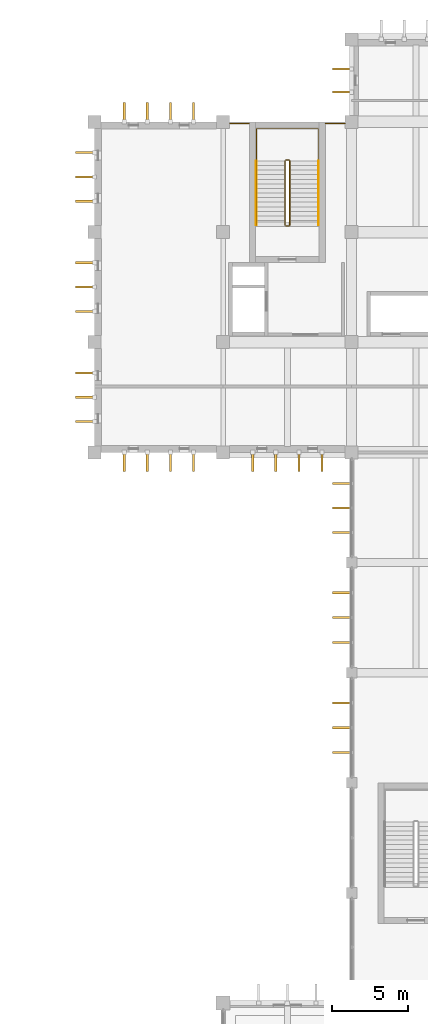
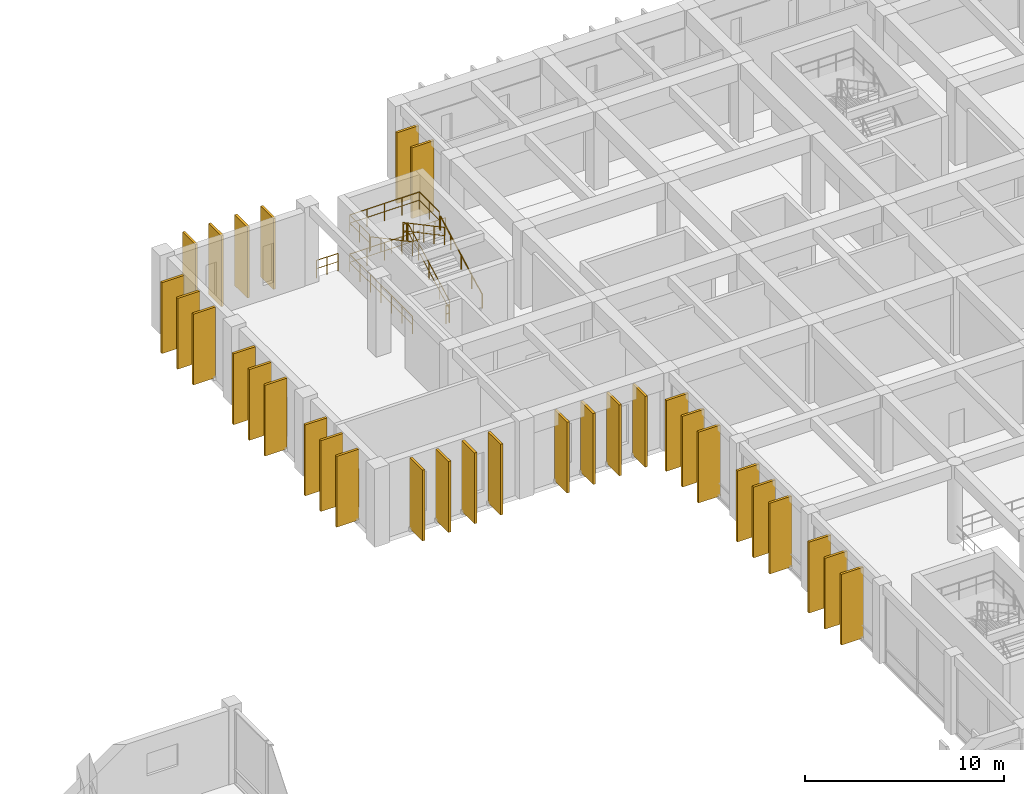
# One storey, part 48 of 51: 32 shading devices, 10 railings.
"""IFC4 building model written with IfcOpenShell, lengths in metres."""

import ifcopenshell
import ifcopenshell.guid

model = None  # the IFC model being written
_history = None  # IfcOwnerHistory: only IFC2X3 demands one
_inside = {}  # id of a spatial element -> (the spatial element, [elements in it])
_under = {}  # id of a project, library or spatial element -> (it, [spatial elements below it])
_declared = {}  # id of a project -> (the project, [libraries it declares])
_typed = {}  # id of a type object -> (the type object, [elements of that type])
_made_of = {}  # id of a material, layer set ... -> (it, [elements and type objects made of it])


def new_model(schema):
    """Start an empty IFC model of exactly this schema.

    Asked for "IFC4X3", IfcOpenShell would pick the latest addendum, in which some entities
    have other attributes; the version numbers below select the first issue.
    IFC2X3 requires an IfcOwnerHistory on every rooted entity: one is made here for all.
    """
    global model, _history
    if schema == "IFC4X3":
        model = ifcopenshell.file(schema_version=(4, 3, 0, 0))
    else:
        model = ifcopenshell.file(schema=schema)
    _inside.clear()
    _under.clear()
    _declared.clear()
    _typed.clear()
    _made_of.clear()
    _history = None
    if model.schema == "IFC2X3":
        org = make("IfcOrganization", Name="unknown")
        user = make(
            "IfcPersonAndOrganization",
            ThePerson=make("IfcPerson", FamilyName="unknown"),
            TheOrganization=org,
        )
        app = make(
            "IfcApplication",
            ApplicationDeveloper=org,
            Version="unknown",
            ApplicationFullName="unknown",
            ApplicationIdentifier="unknown",
        )
        _history = make(
            "IfcOwnerHistory",
            OwningUser=user,
            OwningApplication=app,
            ChangeAction="ADDED",
            CreationDate=0,
        )
    return model


def make(cls, **values):
    """One entity of the class cls with the attributes given. An attribute that is None is left unset."""
    return model.create_entity(
        cls, **{name: value for name, value in values.items() if value is not None}
    )


def rooted(cls, **values):
    """An entity with a GlobalId (a new one), such as an element, a storey or a relation."""
    return make(cls, GlobalId=ifcopenshell.guid.new(), OwnerHistory=_history, **values)


def si_unit(unit_type, name, prefix=None):
    """IfcSIUnit, for example si_unit("LENGTHUNIT", "METRE", prefix="MILLI")."""
    return make("IfcSIUnit", UnitType=unit_type, Prefix=prefix, Name=name)


def assignment(units):
    """IfcUnitAssignment: the units of a project."""
    return None if units is None else make("IfcUnitAssignment", Units=units)


def point(xyz):
    """IfcCartesianPoint."""
    return None if xyz is None else make("IfcCartesianPoint", Coordinates=xyz)


def direction(xyz):
    """IfcDirection."""
    return None if xyz is None else make("IfcDirection", DirectionRatios=xyz)


def frame(location, z_axis=None, x_axis=None):
    """IfcAxis2Placement3D, a coordinate frame: its origin and axes. An axis left out is left unset."""
    return make(
        "IfcAxis2Placement3D",
        Location=point(location),
        Axis=direction(z_axis),
        RefDirection=direction(x_axis),
    )


def frame_2d(location, x_axis=None):
    """IfcAxis2Placement2D, a coordinate frame in the plane: its origin and x axis."""
    return make(
        "IfcAxis2Placement2D", Location=point(location), RefDirection=direction(x_axis)
    )


def origin():
    """The frame at (0, 0, 0) with its axes left unset."""
    return frame((0.0, 0.0, 0.0))


def origin_2d():
    """The frame at (0, 0) in the plane with its x axis left unset."""
    return frame_2d((0.0, 0.0))


def place(relative_to, where):
    """IfcLocalPlacement: puts the frame where relative to a parent placement (None: the world)."""
    return make(
        "IfcLocalPlacement", PlacementRelTo=relative_to, RelativePlacement=where
    )


def context(
    kind, dimensions, precision=None, world=None, true_north=None, identifier=None
):
    """IfcGeometricRepresentationContext, for example the 3D "Model" context."""
    return make(
        "IfcGeometricRepresentationContext",
        ContextIdentifier=identifier,
        ContextType=kind,
        CoordinateSpaceDimension=dimensions,
        Precision=precision,
        WorldCoordinateSystem=world,
        TrueNorth=true_north,
    )


def subcontext(parent, identifier, kind, view, scale=None):
    """IfcGeometricRepresentationSubContext, for example "Body" below "Model"."""
    return make(
        "IfcGeometricRepresentationSubContext",
        ContextIdentifier=identifier,
        ContextType=kind,
        ParentContext=parent,
        TargetScale=scale,
        TargetView=view,
    )


def project(units=None, contexts=None):
    """IfcProject with its units and contexts."""
    return rooted(
        "IfcProject",
        Name="project",
        RepresentationContexts=contexts,
        UnitsInContext=assignment(units),
    )


def spatial(cls, under=None, at=None, **own):
    """A site, building, storey or space (cls), placed at a placement, below another one or the project."""
    s = rooted(cls, ObjectPlacement=at, **own)
    if under is not None:
        _under.setdefault(under.id(), (under, []))[1].append(s)
    return s


def profile(cls, at=None, kind="AREA", **sizes):
    """A parametric profile (cls). Its sizes go by their IFC names, for example OverallWidth=200.0."""
    return make(cls, ProfileType=kind, Position=at, **sizes)


def rectangle(**sizes):
    """IfcRectangleProfileDef."""
    return profile("IfcRectangleProfileDef", **sizes)


def circle(**sizes):
    """IfcCircleProfileDef."""
    return profile("IfcCircleProfileDef", **sizes)


def extrude(swept, where, along, depth):
    """IfcExtrudedAreaSolid: the profile swept, set in the frame where, extruded along a direction by depth."""
    return make(
        "IfcExtrudedAreaSolid",
        SweptArea=swept,
        Position=where,
        ExtrudedDirection=direction(along),
        Depth=depth,
    )


def shape(context_of_items, identifier, shape_type, items):
    """IfcShapeRepresentation: the items that make up one representation, for example the "Body"."""
    return make(
        "IfcShapeRepresentation",
        ContextOfItems=context_of_items,
        RepresentationIdentifier=identifier,
        RepresentationType=shape_type,
        Items=items,
    )


def material(Name=None, Category=None):
    """IfcMaterial."""
    return make("IfcMaterial", Name=Name, Category=Category)


def made_of(thing, what):
    """Note that an element or type object is made of a material, layer set ...; save() writes the relation."""
    if what is not None:
        _made_of.setdefault(what.id(), (what, []))[1].append(thing)
    return thing


def type_object(cls, material=None, **own):
    """A type object (cls), such as IfcWallType, which elements share."""
    return made_of(rooted(cls, **own), material)


def element(
    cls,
    number,
    at=None,
    inside=None,
    cuts=None,
    type_object=None,
    material=None,
    context=None,
    identifier="Body",
    shape_type=None,
    held_by="IfcProductDefinitionShape",
    body=None,
    shapes=None,
    **own,
):
    """One element of the class cls, such as IfcWall. Its Tag is "e" and its number.

    at: its placement. inside: the storey or other place that contains it. cuts: it is an
    opening in that element (IfcRelVoidsElement). A single representation is given by context,
    identifier, shape_type and body (its items); several are given by shapes. held_by: the class
    of the entity that holds the representations. save() writes the other relations.
    """
    e = rooted(cls, Tag="e%d" % number, ObjectPlacement=at, **own)
    if body is not None:
        shapes = [shape(context, identifier, shape_type, body)]
    if shapes is not None:
        e.Representation = make(held_by, Representations=shapes)
    if inside is not None:
        _inside.setdefault(inside.id(), (inside, []))[1].append(e)
    if cuts is not None:
        rooted(
            "IfcRelVoidsElement", RelatingBuildingElement=cuts, RelatedOpeningElement=e
        )
    if type_object is not None:
        _typed.setdefault(type_object.id(), (type_object, []))[1].append(e)
    return made_of(e, material)


def aggregate(whole, parts):
    """IfcRelAggregates: a whole, such as a stair, and the parts it consists of."""
    return rooted("IfcRelAggregates", RelatingObject=whole, RelatedObjects=parts)


def save(model, path):
    """Write the relations noted so far, then the file.

    IfcRelAggregates (storeys below a building ...), IfcRelContainedInSpatialStructure (elements
    in a storey), IfcRelDefinesByType, IfcRelAssociatesMaterial and IfcRelDeclares: one each for
    every whole, place, type object, material and project.
    """
    for whole, parts in _under.values():
        aggregate(whole, parts)
    for where, things in _inside.values():
        rooted(
            "IfcRelContainedInSpatialStructure",
            RelatedElements=things,
            RelatingStructure=where,
        )
    for kind, things in _typed.values():
        rooted("IfcRelDefinesByType", RelatedObjects=things, RelatingType=kind)
    for what, things in _made_of.values():
        rooted("IfcRelAssociatesMaterial", RelatedObjects=things, RelatingMaterial=what)
    for by, libraries in _declared.values():
        rooted("IfcRelDeclares", RelatingContext=by, RelatedDefinitions=libraries)
    model.write(path)


model = new_model("IFC4")

# Units and contexts
model_context = context("Model", 3, precision=1e-05, world=origin(), true_north=direction((0.0, 1.0)))
body_context = subcontext(model_context, "Body", "Model", "MODEL_VIEW")
ifc_project = project(units=[si_unit("LENGTHUNIT", "METRE"), si_unit("AREAUNIT", "SQUARE_METRE"), si_unit("VOLUMEUNIT", "CUBIC_METRE"), si_unit("PLANEANGLEUNIT", "RADIAN"), si_unit("MASSUNIT", "GRAM", prefix="KILO")], contexts=[model_context])

# Site, building, storey
site_placement = place(None, origin())
site = spatial("IfcSite", under=ifc_project, at=site_placement, CompositionType="ELEMENT")
building_placement = place(site_placement, origin())
building = spatial("IfcBuilding", under=site, at=building_placement, Name="Kenerak Square Central Library", CompositionType="ELEMENT")
storey_placement = place(building_placement, frame((0.0, 0.0, 9.60009765625)))
storey = spatial("IfcBuildingStorey", under=building, at=storey_placement, Name="L02", CompositionType="ELEMENT", Elevation=9.60009765625)

# Shading devices
ifc_material_1 = material(Name="White precast concrete C40/50", Category="concrete")
shading_device_type = type_object("IfcShadingDeviceType", Name="Precast Vertical Solar Fin SF-1280 C40/50", PredefinedType="USERDEFINED", material=ifc_material_1)
for number, where, z_axis, x_axis, name in (
    (1, (66.179931640625, 69.175048828125, 0.099853515625), (0.0, 0.0, 1.0), (0.0, 1.0, 0.0), "Precast Solar Fin FIN-01 L02 0080"),
    (2, (66.179931640625, 70.800048828125, 0.099853515625), (0.0, 0.0, 1.0), (0.0, 1.0, 0.0), "Precast Solar Fin FIN-01 L02 0081"),
    (3, (66.179931640625, 72.425048828125, 0.099853515625), (0.0, 0.0, 1.0), (0.0, 1.0, 0.0), "Precast Solar Fin FIN-01 L02 0082"),
    (4, (66.179931640625, 76.375, 0.099853515625), (0.0, 0.0, 1.0), (0.0, 1.0, 0.0), "Precast Solar Fin FIN-01 L02 0083"),
    (5, (66.179931640625, 78.0, 0.099853515625), (0.0, 0.0, 1.0), (0.0, 1.0, 0.0), "Precast Solar Fin FIN-01 L02 0084"),
    (6, (66.179931640625, 79.625, 0.099853515625), (0.0, 0.0, 1.0), (0.0, 1.0, 0.0), "Precast Solar Fin FIN-01 L02 0085"),
    (7, (66.179931640625, 83.556396484375, 0.099853515625), (0.0, 0.0, 1.0), (0.0, 1.0, 0.0), "Precast Solar Fin FIN-01 L02 0086"),
    (8, (66.179931640625, 85.16259765625, 0.099853515625), (0.0, 0.0, 1.0), (0.0, 1.0, 0.0), "Precast Solar Fin FIN-01 L02 0087"),
    (9, (66.179931640625, 86.768798828125, 0.099853515625), (0.0, 0.0, 1.0), (0.0, 1.0, 0.0), "Precast Solar Fin FIN-01 L02 0088"),
    (10, (64.864990234375, 88.179931640625, 0.099853515625), (0.0, 0.0, 1.0), (-1.0, 0.0, 0.0), "Precast Solar Fin FIN-01 L02 0089"),
    (11, (63.35498046875, 88.179931640625, 0.099853515625), (0.0, 0.0, 1.0), (-1.0, 0.0, 0.0), "Precast Solar Fin FIN-01 L02 0090"),
    (12, (61.844970703125, 88.179931640625, 0.099853515625), (0.0, 0.0, 1.0), (-1.0, 0.0, 0.0), "Precast Solar Fin FIN-01 L02 0091"),
    (13, (60.3349609375, 88.179931640625, 0.099853515625), (0.0, 0.0, 1.0), (-1.0, 0.0, 0.0), "Precast Solar Fin FIN-01 L02 0092"),
    (14, (56.465087890625, 88.179931640625, 0.099853515625), (0.0, 0.0, 1.0), (-1.0, 0.0, 0.0), "Precast Solar Fin FIN-01 L02 0093"),
    (15, (54.955078125, 88.179931640625, 0.099853515625), (0.0, 0.0, 1.0), (-1.0, 0.0, 0.0), "Precast Solar Fin FIN-01 L02 0094"),
    (16, (53.445068359375, 88.179931640625, 0.099853515625), (0.0, 0.0, 1.0), (-1.0, 0.0, 0.0), "Precast Solar Fin FIN-01 L02 0095"),
    (17, (51.93505859375, 88.179931640625, 0.099853515625), (0.0, 0.0, 1.0), (-1.0, 0.0, 0.0), "Precast Solar Fin FIN-01 L02 0096"),
    (18, (49.3798828125, 90.8125, 0.099853515625), (0.0, 0.0, 1.0), (0.0, 1.0, 0.0), "Precast Solar Fin FIN-01 L02 0097"),
    (19, (49.3798828125, 92.39990234375, 0.099853515625), (0.0, 0.0, 1.0), (0.0, 1.0, 0.0), "Precast Solar Fin FIN-01 L02 0098"),
    (20, (49.3798828125, 93.987548828125, 0.099853515625), (0.0, 0.0, 1.0), (0.0, 1.0, 0.0), "Precast Solar Fin FIN-01 L02 0099"),
    (21, (49.3798828125, 98.012451171875, 0.099853515625), (0.0, 0.0, 1.0), (0.0, 1.0, 0.0), "Precast Solar Fin FIN-01 L02 0100"),
    (22, (49.3798828125, 99.60009765625, 0.099853515625), (0.0, 0.0, 1.0), (0.0, 1.0, 0.0), "Precast Solar Fin FIN-01 L02 0101"),
    (23, (49.3798828125, 101.1875, 0.099853515625), (0.0, 0.0, 1.0), (0.0, 1.0, 0.0), "Precast Solar Fin FIN-01 L02 0102"),
    (24, (49.3798828125, 105.21240234375, 0.099853515625), (0.0, 0.0, 1.0), (0.0, 1.0, 0.0), "Precast Solar Fin FIN-01 L02 0103"),
    (25, (49.3798828125, 106.800048828125, 0.099853515625), (0.0, 0.0, 1.0), (0.0, 1.0, 0.0), "Precast Solar Fin FIN-01 L02 0104"),
    (26, (49.3798828125, 108.387451171875, 0.099853515625), (0.0, 0.0, 1.0), (0.0, 1.0, 0.0), "Precast Solar Fin FIN-01 L02 0105"),
    (27, (51.93505859375, 111.02001953125, 0.099853515625), (0.0, 0.0, 1.0), (1.0, 0.0, 0.0), "Precast Solar Fin FIN-01 L02 0106"),
    (28, (53.445068359375, 111.02001953125, 0.099853515625), (0.0, 0.0, 1.0), (1.0, 0.0, 0.0), "Precast Solar Fin FIN-01 L02 0107"),
    (29, (54.955078125, 111.02001953125, 0.099853515625), (0.0, 0.0, 1.0), (1.0, 0.0, 0.0), "Precast Solar Fin FIN-01 L02 0108"),
    (30, (56.465087890625, 111.02001953125, 0.099853515625), (0.0, 0.0, 1.0), (1.0, 0.0, 0.0), "Precast Solar Fin FIN-01 L02 0109"),
    (31, (66.179931640625, 112.341796875, 0.099853515625), (0.0, 0.0, 1.0), (0.0, 1.0, 0.0), "Precast Solar Fin FIN-01 L02 0110"),
    (32, (66.179931640625, 113.8583984375, 0.099853515625), (0.0, 0.0, 1.0), (0.0, 1.0, 0.0), "Precast Solar Fin FIN-01 L02 0111"),
):
    element("IfcShadingDevice", number, at=place(storey_placement, frame(where, z_axis=z_axis, x_axis=x_axis)), inside=storey, type_object=shading_device_type, Name=name, ObjectType="FIN", PredefinedType="USERDEFINED", context=body_context, shape_type="SweptSolid", body=[
        extrude(rectangle(XDim=0.139892578125, YDim=1.280029296875, at=origin_2d()), origin(), (0.0, 0.0, 1.0), 4.35009765625),
    ])

# Railings
ifc_material_2 = material(Name="Steel S355", Category="steel")
railing_type_1 = type_object("IfcRailingType", Name="Safety Guardrail GR-1100 S355", PredefinedType="GUARDRAIL", material=ifc_material_2)
railing_1_placement = place(storey_placement, frame((62.75, 103.64990234375, 0.159912109375)))
element("IfcRailing", 33, at=railing_1_placement, inside=storey, type_object=railing_type_1, Name="L02 ST-01 stair guard 1", PredefinedType="GUARDRAIL", context=body_context, shape_type="SweptSolid", body=[
    extrude(circle(Radius=0.02392578125, at=origin_2d()), frame((0.0, 0.0, 1.076171875), z_axis=(0.0, 0.882362879185, 0.470569601054), x_axis=(-1.0, 0.0, 0.0)), (0.0, 0.0, 1.0), 4.76025390625),
    extrude(circle(Radius=0.01806640625, at=origin_2d()), frame((0.0, 0.0, 0.572021484375), z_axis=(0.0, 0.882362879185, 0.470569601054), x_axis=(-1.0, 0.0, 0.0)), (0.0, 0.0, 1.0), 4.76025390625),
    extrude(circle(Radius=0.02099609375, at=origin_2d()), origin(), (0.0, 0.0, 1.0), 1.052001953125),
    extrude(circle(Radius=0.02099609375, at=origin_2d()), frame((0.0, 1.050048828125, 0.56005859375)), (0.0, 0.0, 1.0), 1.052001953125),
    extrude(circle(Radius=0.02099609375, at=origin_2d()), frame((0.0, 2.10009765625, 1.1201171875)), (0.0, 0.0, 1.0), 1.052001953125),
    extrude(circle(Radius=0.02099609375, at=origin_2d()), frame((0.0, 3.150146484375, 1.679931640625)), (0.0, 0.0, 1.0), 1.052001953125),
    extrude(circle(Radius=0.02099609375, at=origin_2d()), frame((0.0, 4.2001953125, 2.239990234375)), (0.0, 0.0, 1.0), 1.052001953125),
])
railing_2_placement = place(storey_placement, frame((62.699951171875, 107.89990234375, 2.39990234375)))
element("IfcRailing", 34, at=railing_2_placement, inside=storey, type_object=railing_type_1, Name="L02 ST-01 stair guard 2", PredefinedType="GUARDRAIL", context=body_context, shape_type="SweptSolid", body=[
    extrude(circle(Radius=0.02392578125, at=origin_2d()), frame((0.0, 0.0, 1.076171875), z_axis=(-1.0, 0.0, 0.0), x_axis=(0.0, -1.0, 0.0)), (0.0, 0.0, 1.0), 0.199951171875),
    extrude(circle(Radius=0.01806640625, at=origin_2d()), frame((0.0, 0.0, 0.572021484375), z_axis=(-1.0, 0.0, 0.0), x_axis=(0.0, -1.0, 0.0)), (0.0, 0.0, 1.0), 0.199951171875),
    extrude(circle(Radius=0.02099609375, at=origin_2d()), origin(), (0.0, 0.0, 1.0), 1.052001953125),
    extrude(circle(Radius=0.02099609375, at=origin_2d()), frame((-0.199951171875, 0.0, 0.0)), (0.0, 0.0, 1.0), 1.052001953125),
])
railing_3_placement = place(storey_placement, frame((62.449951171875, 107.85009765625, 2.559814453125)))
element("IfcRailing", 35, at=railing_3_placement, inside=storey, type_object=railing_type_1, Name="L02 ST-01 stair guard 3", PredefinedType="GUARDRAIL", context=body_context, shape_type="SweptSolid", body=[
    extrude(circle(Radius=0.02392578125, at=origin_2d()), frame((0.0, 0.0, 1.076171875), z_axis=(0.0, -0.882362879185, 0.470569601054), x_axis=(1.0, 0.0, 0.0)), (0.0, 0.0, 1.0), 4.76025390625),
    extrude(circle(Radius=0.01806640625, at=origin_2d()), frame((0.0, 0.0, 0.572021484375), z_axis=(0.0, -0.882362879185, 0.470569601054), x_axis=(1.0, 0.0, 0.0)), (0.0, 0.0, 1.0), 4.76025390625),
    extrude(circle(Radius=0.02099609375, at=origin_2d()), origin(), (0.0, 0.0, 1.0), 1.052001953125),
    extrude(circle(Radius=0.02099609375, at=origin_2d()), frame((0.0, -1.050048828125, 0.56005859375)), (0.0, 0.0, 1.0), 1.052001953125),
    extrude(circle(Radius=0.02099609375, at=origin_2d()), frame((0.0, -2.10009765625, 1.1201171875)), (0.0, 0.0, 1.0), 1.052001953125),
    extrude(circle(Radius=0.02099609375, at=origin_2d()), frame((0.0, -3.150146484375, 1.679931640625)), (0.0, 0.0, 1.0), 1.052001953125),
    extrude(circle(Radius=0.02099609375, at=origin_2d()), frame((0.0, -4.2001953125, 2.239990234375)), (0.0, 0.0, 1.0), 1.052001953125),
])
railing_4_placement = place(storey_placement, frame((62.699951171875, 103.60009765625, 0.0)))
element("IfcRailing", 36, at=railing_4_placement, inside=storey, type_object=railing_type_1, Name="L02 ST-01 stair guard 4", PredefinedType="GUARDRAIL", context=body_context, shape_type="SweptSolid", body=[
    extrude(circle(Radius=0.02392578125, at=origin_2d()), frame((0.0, 0.0, 1.076171875), z_axis=(-1.0, 0.0, 0.0), x_axis=(0.0, -1.0, 0.0)), (0.0, 0.0, 1.0), 0.199951171875),
    extrude(circle(Radius=0.01806640625, at=origin_2d()), frame((0.0, 0.0, 0.572021484375), z_axis=(-1.0, 0.0, 0.0), x_axis=(0.0, -1.0, 0.0)), (0.0, 0.0, 1.0), 0.199951171875),
    extrude(circle(Radius=0.02099609375, at=origin_2d()), origin(), (0.0, 0.0, 1.0), 1.052001953125),
    extrude(circle(Radius=0.02099609375, at=origin_2d()), frame((-0.199951171875, 0.0, 0.0)), (0.0, 0.0, 1.0), 1.052001953125),
])
railing_5_placement = place(storey_placement, frame((60.580078125, 107.949951171875, 2.39990234375)))
element("IfcRailing", 37, at=railing_5_placement, inside=storey, type_object=railing_type_1, Name="Stair Half-Landing Guard ST-01 L02", PredefinedType="GUARDRAIL", context=body_context, shape_type="SweptSolid", body=[
    extrude(circle(Radius=0.02392578125, at=origin_2d()), frame((0.0, 0.0, 1.076171875), z_axis=(0.0, 1.0, 0.0), x_axis=(-1.0, 0.0, 0.0)), (0.0, 0.0, 1.0), 2.0),
    extrude(circle(Radius=0.01806640625, at=origin_2d()), frame((0.0, 0.0, 0.572021484375), z_axis=(0.0, 1.0, 0.0), x_axis=(-1.0, 0.0, 0.0)), (0.0, 0.0, 1.0), 2.0),
    extrude(circle(Radius=0.02392578125, at=origin_2d()), frame((0.0, 2.0, 1.076171875), z_axis=(1.0, 0.0, 0.0), x_axis=(0.0, 1.0, 0.0)), (0.0, 0.0, 1.0), 4.0400390625),
    extrude(circle(Radius=0.01806640625, at=origin_2d()), frame((0.0, 2.0, 0.572021484375), z_axis=(1.0, 0.0, 0.0), x_axis=(0.0, 1.0, 0.0)), (0.0, 0.0, 1.0), 4.0400390625),
    extrude(circle(Radius=0.02392578125, at=origin_2d()), frame((4.0400390625, 2.0, 1.076171875), z_axis=(0.0, -1.0, 0.0), x_axis=(1.0, 0.0, 0.0)), (0.0, 0.0, 1.0), 2.0),
    extrude(circle(Radius=0.01806640625, at=origin_2d()), frame((4.0400390625, 2.0, 0.572021484375), z_axis=(0.0, -1.0, 0.0), x_axis=(1.0, 0.0, 0.0)), (0.0, 0.0, 1.0), 2.0),
    extrude(circle(Radius=0.02099609375, at=origin_2d()), origin(), (0.0, 0.0, 1.0), 1.052001953125),
    extrude(circle(Radius=0.02099609375, at=origin_2d()), frame((0.0, 1.0, 0.0)), (0.0, 0.0, 1.0), 1.052001953125),
    extrude(circle(Radius=0.02099609375, at=origin_2d()), frame((0.0, 2.0, 0.0)), (0.0, 0.0, 1.0), 1.052001953125),
    extrude(circle(Radius=0.02099609375, at=origin_2d()), frame((1.010009765625, 2.0, 0.0)), (0.0, 0.0, 1.0), 1.052001953125),
    extrude(circle(Radius=0.02099609375, at=origin_2d()), frame((2.02001953125, 2.0, 0.0)), (0.0, 0.0, 1.0), 1.052001953125),
    extrude(circle(Radius=0.02099609375, at=origin_2d()), frame((3.030029296875, 2.0, 0.0)), (0.0, 0.0, 1.0), 1.052001953125),
    extrude(circle(Radius=0.02099609375, at=origin_2d()), frame((4.0400390625, 2.0, 0.0)), (0.0, 0.0, 1.0), 1.052001953125),
    extrude(circle(Radius=0.02099609375, at=origin_2d()), frame((4.0400390625, 1.0, 0.0)), (0.0, 0.0, 1.0), 1.052001953125),
    extrude(circle(Radius=0.02099609375, at=origin_2d()), frame((4.0400390625, 0.0, 0.0)), (0.0, 0.0, 1.0), 1.052001953125),
])
railing_6_placement = place(storey_placement, frame((60.580078125, 103.64990234375, 0.0)))
element("IfcRailing", 38, at=railing_6_placement, inside=storey, type_object=railing_type_1, Name="Stair Well Floor Guard ST-01 L02", PredefinedType="GUARDRAIL", context=body_context, shape_type="SweptSolid", body=[
    extrude(circle(Radius=0.02392578125, at=origin_2d()), frame((0.0, 0.0, 1.076171875), z_axis=(0.0, 1.0, 0.0), x_axis=(-1.0, 0.0, 0.0)), (0.0, 0.0, 1.0), 6.300048828125),
    extrude(circle(Radius=0.01806640625, at=origin_2d()), frame((0.0, 0.0, 0.572021484375), z_axis=(0.0, 1.0, 0.0), x_axis=(-1.0, 0.0, 0.0)), (0.0, 0.0, 1.0), 6.300048828125),
    extrude(circle(Radius=0.02392578125, at=origin_2d()), frame((0.0, 6.300048828125, 1.076171875), z_axis=(1.0, 0.0, 0.0), x_axis=(0.0, 1.0, 0.0)), (0.0, 0.0, 1.0), 4.0400390625),
    extrude(circle(Radius=0.01806640625, at=origin_2d()), frame((0.0, 6.300048828125, 0.572021484375), z_axis=(1.0, 0.0, 0.0), x_axis=(0.0, 1.0, 0.0)), (0.0, 0.0, 1.0), 4.0400390625),
    extrude(circle(Radius=0.02099609375, at=origin_2d()), origin(), (0.0, 0.0, 1.0), 1.052001953125),
    extrude(circle(Radius=0.02099609375, at=origin_2d()), frame((0.0, 1.050048828125, 0.0)), (0.0, 0.0, 1.0), 1.052001953125),
    extrude(circle(Radius=0.02099609375, at=origin_2d()), frame((0.0, 2.10009765625, 0.0)), (0.0, 0.0, 1.0), 1.052001953125),
    extrude(circle(Radius=0.02099609375, at=origin_2d()), frame((0.0, 3.14990234375, 0.0)), (0.0, 0.0, 1.0), 1.052001953125),
    extrude(circle(Radius=0.02099609375, at=origin_2d()), frame((0.0, 4.199951171875, 0.0)), (0.0, 0.0, 1.0), 1.052001953125),
    extrude(circle(Radius=0.02099609375, at=origin_2d()), frame((0.0, 5.25, 0.0)), (0.0, 0.0, 1.0), 1.052001953125),
    extrude(circle(Radius=0.02099609375, at=origin_2d()), frame((0.0, 6.300048828125, 0.0)), (0.0, 0.0, 1.0), 1.052001953125),
    extrude(circle(Radius=0.02099609375, at=origin_2d()), frame((1.010009765625, 6.300048828125, 0.0)), (0.0, 0.0, 1.0), 1.052001953125),
    extrude(circle(Radius=0.02099609375, at=origin_2d()), frame((2.02001953125, 6.300048828125, 0.0)), (0.0, 0.0, 1.0), 1.052001953125),
    extrude(circle(Radius=0.02099609375, at=origin_2d()), frame((3.030029296875, 6.300048828125, 0.0)), (0.0, 0.0, 1.0), 1.052001953125),
    extrude(circle(Radius=0.02099609375, at=origin_2d()), frame((4.0400390625, 6.300048828125, 0.0)), (0.0, 0.0, 1.0), 1.052001953125),
])
for number, where, name in (
    (39, (58.846923828125, 110.300048828125, 0.0), "Perimeter Edge Guardrail L02 59-1"),
    (40, (65.10205078125, 110.300048828125, 0.0), "Perimeter Edge Guardrail L02 65-2"),
):
    element("IfcRailing", number, at=place(storey_placement, frame(where)), inside=storey, type_object=railing_type_1, Name=name, PredefinedType="GUARDRAIL", context=body_context, shape_type="SweptSolid", body=[
        extrude(circle(Radius=0.02392578125, at=origin_2d()), frame((0.0, 0.0, 1.076171875), z_axis=(1.0, 0.0, 0.0), x_axis=(0.0, 1.0, 0.0)), (0.0, 0.0, 1.0), 1.2509765625),
        extrude(circle(Radius=0.01806640625, at=origin_2d()), frame((0.0, 0.0, 0.572021484375), z_axis=(1.0, 0.0, 0.0), x_axis=(0.0, 1.0, 0.0)), (0.0, 0.0, 1.0), 1.2509765625),
        extrude(circle(Radius=0.02099609375, at=origin_2d()), origin(), (0.0, 0.0, 1.0), 1.052001953125),
        extrude(circle(Radius=0.02099609375, at=origin_2d()), frame((0.62548828125, 0.0, 0.0)), (0.0, 0.0, 1.0), 1.052001953125),
        extrude(circle(Radius=0.02099609375, at=origin_2d()), frame((1.2509765625, 0.0, 0.0)), (0.0, 0.0, 1.0), 1.052001953125),
    ])
railing_type_2 = type_object("IfcRailingType", Name="Stair Handrail HR-880 S355", PredefinedType="HANDRAIL", material=ifc_material_2)
railing_7_placement = place(storey_placement, frame((64.6298828125, 103.64990234375, 0.159912109375)))
element("IfcRailing", 41, at=railing_7_placement, inside=storey, type_object=railing_type_2, Name="L02 ST-01 stair handrail 1", PredefinedType="HANDRAIL", context=body_context, shape_type="SweptSolid", body=[
    extrude(circle(Radius=0.02392578125, at=origin_2d()), frame((0.0, 0.0, 0.85595703125), z_axis=(0.0, 0.882362879185, 0.470569601054), x_axis=(-1.0, 0.0, 0.0)), (0.0, 0.0, 1.0), 4.76025390625),
    extrude(circle(Radius=0.02099609375, at=origin_2d()), origin(), (0.0, 0.0, 1.0), 0.831787109375),
    extrude(circle(Radius=0.02099609375, at=origin_2d()), frame((0.0, 1.050048828125, 0.56005859375)), (0.0, 0.0, 1.0), 0.831787109375),
    extrude(circle(Radius=0.02099609375, at=origin_2d()), frame((0.0, 2.10009765625, 1.1201171875)), (0.0, 0.0, 1.0), 0.831787109375),
    extrude(circle(Radius=0.02099609375, at=origin_2d()), frame((0.0, 3.150146484375, 1.679931640625)), (0.0, 0.0, 1.0), 0.831787109375),
    extrude(circle(Radius=0.02099609375, at=origin_2d()), frame((0.0, 4.2001953125, 2.239990234375)), (0.0, 0.0, 1.0), 0.831787109375),
])
railing_8_placement = place(storey_placement, frame((60.570068359375, 107.85009765625, 2.559814453125)))
element("IfcRailing", 42, at=railing_8_placement, inside=storey, type_object=railing_type_2, Name="L02 ST-01 stair handrail 2", PredefinedType="HANDRAIL", context=body_context, shape_type="SweptSolid", body=[
    extrude(circle(Radius=0.02392578125, at=origin_2d()), frame((0.0, 0.0, 0.85595703125), z_axis=(0.0, -0.882362879185, 0.470569601054), x_axis=(1.0, 0.0, 0.0)), (0.0, 0.0, 1.0), 4.76025390625),
    extrude(circle(Radius=0.02099609375, at=origin_2d()), origin(), (0.0, 0.0, 1.0), 0.831787109375),
    extrude(circle(Radius=0.02099609375, at=origin_2d()), frame((0.0, -1.050048828125, 0.56005859375)), (0.0, 0.0, 1.0), 0.831787109375),
    extrude(circle(Radius=0.02099609375, at=origin_2d()), frame((0.0, -2.10009765625, 1.1201171875)), (0.0, 0.0, 1.0), 0.831787109375),
    extrude(circle(Radius=0.02099609375, at=origin_2d()), frame((0.0, -3.150146484375, 1.679931640625)), (0.0, 0.0, 1.0), 0.831787109375),
    extrude(circle(Radius=0.02099609375, at=origin_2d()), frame((0.0, -4.2001953125, 2.239990234375)), (0.0, 0.0, 1.0), 0.831787109375),
])

save(model, "model.ifc")
